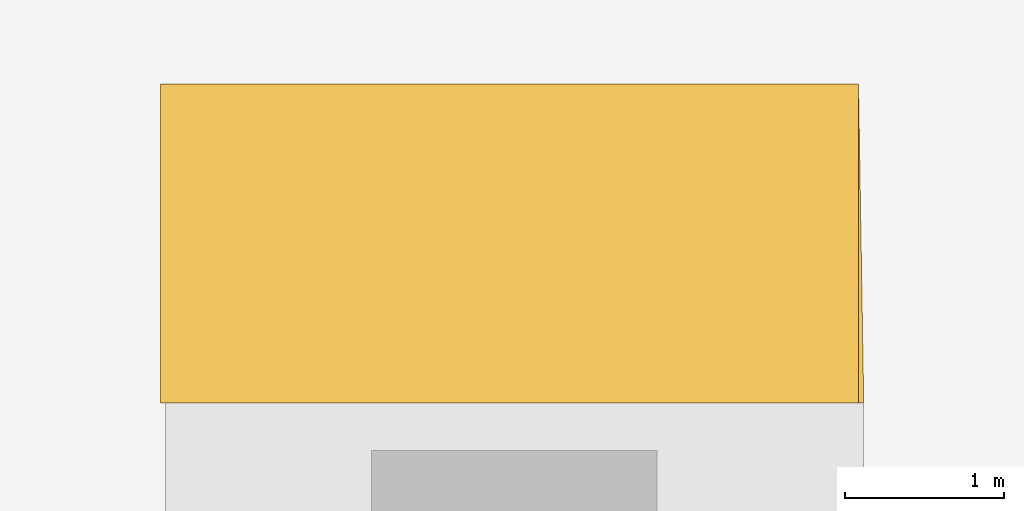
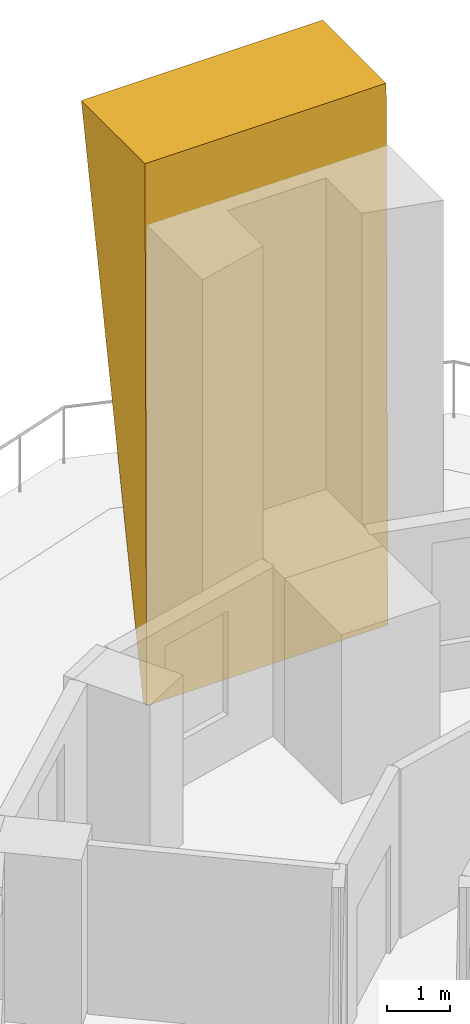
# One storey, part 14 of 14: 1 covering.
"""IFC4 building model written with IfcOpenShell, lengths in metres."""

import ifcopenshell
import ifcopenshell.guid

model = None  # the IFC model being written
_history = None  # IfcOwnerHistory: only IFC2X3 demands one
_inside = {}  # id of a spatial element -> (the spatial element, [elements in it])
_under = {}  # id of a project, library or spatial element -> (it, [spatial elements below it])
_declared = {}  # id of a project -> (the project, [libraries it declares])
_typed = {}  # id of a type object -> (the type object, [elements of that type])
_made_of = {}  # id of a material, layer set ... -> (it, [elements and type objects made of it])


def new_model(schema):
    """Start an empty IFC model of exactly this schema.

    Asked for "IFC4X3", IfcOpenShell would pick the latest addendum, in which some entities
    have other attributes; the version numbers below select the first issue.
    IFC2X3 requires an IfcOwnerHistory on every rooted entity: one is made here for all.
    """
    global model, _history
    if schema == "IFC4X3":
        model = ifcopenshell.file(schema_version=(4, 3, 0, 0))
    else:
        model = ifcopenshell.file(schema=schema)
    _inside.clear()
    _under.clear()
    _declared.clear()
    _typed.clear()
    _made_of.clear()
    _history = None
    if model.schema == "IFC2X3":
        org = make("IfcOrganization", Name="unknown")
        user = make(
            "IfcPersonAndOrganization",
            ThePerson=make("IfcPerson", FamilyName="unknown"),
            TheOrganization=org,
        )
        app = make(
            "IfcApplication",
            ApplicationDeveloper=org,
            Version="unknown",
            ApplicationFullName="unknown",
            ApplicationIdentifier="unknown",
        )
        _history = make(
            "IfcOwnerHistory",
            OwningUser=user,
            OwningApplication=app,
            ChangeAction="ADDED",
            CreationDate=0,
        )
    return model


def make(cls, **values):
    """One entity of the class cls with the attributes given. An attribute that is None is left unset."""
    return model.create_entity(
        cls, **{name: value for name, value in values.items() if value is not None}
    )


def rooted(cls, **values):
    """An entity with a GlobalId (a new one), such as an element, a storey or a relation."""
    return make(cls, GlobalId=ifcopenshell.guid.new(), OwnerHistory=_history, **values)


def si_unit(unit_type, name, prefix=None):
    """IfcSIUnit, for example si_unit("LENGTHUNIT", "METRE", prefix="MILLI")."""
    return make("IfcSIUnit", UnitType=unit_type, Prefix=prefix, Name=name)


def assignment(units):
    """IfcUnitAssignment: the units of a project."""
    return None if units is None else make("IfcUnitAssignment", Units=units)


def point(xyz):
    """IfcCartesianPoint."""
    return None if xyz is None else make("IfcCartesianPoint", Coordinates=xyz)


def direction(xyz):
    """IfcDirection."""
    return None if xyz is None else make("IfcDirection", DirectionRatios=xyz)


def frame(location, z_axis=None, x_axis=None):
    """IfcAxis2Placement3D, a coordinate frame: its origin and axes. An axis left out is left unset."""
    return make(
        "IfcAxis2Placement3D",
        Location=point(location),
        Axis=direction(z_axis),
        RefDirection=direction(x_axis),
    )


def origin():
    """The frame at (0, 0, 0) with its axes left unset."""
    return frame((0.0, 0.0, 0.0))


def place(relative_to, where):
    """IfcLocalPlacement: puts the frame where relative to a parent placement (None: the world)."""
    return make(
        "IfcLocalPlacement", PlacementRelTo=relative_to, RelativePlacement=where
    )


def context(
    kind, dimensions, precision=None, world=None, true_north=None, identifier=None
):
    """IfcGeometricRepresentationContext, for example the 3D "Model" context."""
    return make(
        "IfcGeometricRepresentationContext",
        ContextIdentifier=identifier,
        ContextType=kind,
        CoordinateSpaceDimension=dimensions,
        Precision=precision,
        WorldCoordinateSystem=world,
        TrueNorth=true_north,
    )


def subcontext(parent, identifier, kind, view, scale=None):
    """IfcGeometricRepresentationSubContext, for example "Body" below "Model"."""
    return make(
        "IfcGeometricRepresentationSubContext",
        ContextIdentifier=identifier,
        ContextType=kind,
        ParentContext=parent,
        TargetScale=scale,
        TargetView=view,
    )


def project(units=None, contexts=None):
    """IfcProject with its units and contexts."""
    return rooted(
        "IfcProject",
        Name="project",
        RepresentationContexts=contexts,
        UnitsInContext=assignment(units),
    )


def spatial(cls, under=None, at=None, **own):
    """A site, building, storey or space (cls), placed at a placement, below another one or the project."""
    s = rooted(cls, ObjectPlacement=at, **own)
    if under is not None:
        _under.setdefault(under.id(), (under, []))[1].append(s)
    return s


def polyline(points):
    """IfcPolyline through the points."""
    return make("IfcPolyline", Points=[point(p) for p in points])


def outline(outer, holes=None, kind="AREA"):
    """IfcArbitraryClosedProfileDef: a profile drawn as a closed curve; with holes, ...WithVoids."""
    if holes is None:
        return make("IfcArbitraryClosedProfileDef", ProfileType=kind, OuterCurve=outer)
    return make(
        "IfcArbitraryProfileDefWithVoids",
        ProfileType=kind,
        OuterCurve=outer,
        InnerCurves=holes,
    )


def extrude(swept, where, along, depth):
    """IfcExtrudedAreaSolid: the profile swept, set in the frame where, extruded along a direction by depth."""
    return make(
        "IfcExtrudedAreaSolid",
        SweptArea=swept,
        Position=where,
        ExtrudedDirection=direction(along),
        Depth=depth,
    )


def shape(context_of_items, identifier, shape_type, items):
    """IfcShapeRepresentation: the items that make up one representation, for example the "Body"."""
    return make(
        "IfcShapeRepresentation",
        ContextOfItems=context_of_items,
        RepresentationIdentifier=identifier,
        RepresentationType=shape_type,
        Items=items,
    )


def material(Name=None, Category=None):
    """IfcMaterial."""
    return make("IfcMaterial", Name=Name, Category=Category)


def made_of(thing, what):
    """Note that an element or type object is made of a material, layer set ...; save() writes the relation."""
    if what is not None:
        _made_of.setdefault(what.id(), (what, []))[1].append(thing)
    return thing


def type_object(cls, material=None, **own):
    """A type object (cls), such as IfcWallType, which elements share."""
    return made_of(rooted(cls, **own), material)


def element(
    cls,
    number,
    at=None,
    inside=None,
    cuts=None,
    type_object=None,
    material=None,
    context=None,
    identifier="Body",
    shape_type=None,
    held_by="IfcProductDefinitionShape",
    body=None,
    shapes=None,
    **own,
):
    """One element of the class cls, such as IfcWall. Its Tag is "e" and its number.

    at: its placement. inside: the storey or other place that contains it. cuts: it is an
    opening in that element (IfcRelVoidsElement). A single representation is given by context,
    identifier, shape_type and body (its items); several are given by shapes. held_by: the class
    of the entity that holds the representations. save() writes the other relations.
    """
    e = rooted(cls, Tag="e%d" % number, ObjectPlacement=at, **own)
    if body is not None:
        shapes = [shape(context, identifier, shape_type, body)]
    if shapes is not None:
        e.Representation = make(held_by, Representations=shapes)
    if inside is not None:
        _inside.setdefault(inside.id(), (inside, []))[1].append(e)
    if cuts is not None:
        rooted(
            "IfcRelVoidsElement", RelatingBuildingElement=cuts, RelatedOpeningElement=e
        )
    if type_object is not None:
        _typed.setdefault(type_object.id(), (type_object, []))[1].append(e)
    return made_of(e, material)


def aggregate(whole, parts):
    """IfcRelAggregates: a whole, such as a stair, and the parts it consists of."""
    return rooted("IfcRelAggregates", RelatingObject=whole, RelatedObjects=parts)


def save(model, path):
    """Write the relations noted so far, then the file.

    IfcRelAggregates (storeys below a building ...), IfcRelContainedInSpatialStructure (elements
    in a storey), IfcRelDefinesByType, IfcRelAssociatesMaterial and IfcRelDeclares: one each for
    every whole, place, type object, material and project.
    """
    for whole, parts in _under.values():
        aggregate(whole, parts)
    for where, things in _inside.values():
        rooted(
            "IfcRelContainedInSpatialStructure",
            RelatedElements=things,
            RelatingStructure=where,
        )
    for kind, things in _typed.values():
        rooted("IfcRelDefinesByType", RelatedObjects=things, RelatingType=kind)
    for what, things in _made_of.values():
        rooted("IfcRelAssociatesMaterial", RelatedObjects=things, RelatingMaterial=what)
    for by, libraries in _declared.values():
        rooted("IfcRelDeclares", RelatingContext=by, RelatedDefinitions=libraries)
    model.write(path)


model = new_model("IFC4")

# Units and contexts
model_context = context("Model", 3, precision=1e-05, world=origin(), true_north=direction((0.0, 1.0)))
body_context = subcontext(model_context, "Body", "Model", "MODEL_VIEW")
ifc_project = project(units=[si_unit("LENGTHUNIT", "METRE"), si_unit("AREAUNIT", "SQUARE_METRE"), si_unit("VOLUMEUNIT", "CUBIC_METRE"), si_unit("PLANEANGLEUNIT", "RADIAN"), si_unit("MASSUNIT", "GRAM", prefix="KILO")], contexts=[model_context])

# Site, building, storey
site_placement = place(None, origin())
site = spatial("IfcSite", under=ifc_project, at=site_placement, CompositionType="ELEMENT")
building_placement = place(site_placement, origin())
building = spatial("IfcBuilding", under=site, at=building_placement, Name="Entoto Arch Interchange Tower", CompositionType="ELEMENT")
storey_placement = place(building_placement, frame((0.0, 0.0, 241.39990234375)))
storey = spatial("IfcBuildingStorey", under=building, at=storey_placement, Name="L54", CompositionType="ELEMENT", Elevation=241.39990234375)

# Covering
ifc_material = material(Name="Board-marked precast concrete C50/60", Category="concrete")
covering_type = type_object("IfcCoveringType", Name="PRECAST FRAME COURSE", PredefinedType="CLADDING", material=ifc_material)
covering_placement = place(storey_placement, frame((2.199951171875, 29.72900390625, 0.0), z_axis=(0.999995606868, 0.0, 0.00296416016), x_axis=(0.0, 1.0, 0.0)))
element("IfcCovering", 1, at=covering_placement, inside=storey, type_object=covering_type, Name="Corner rib N L54-L56", PredefinedType="CLADDING", context=body_context, shape_type="SweptSolid", body=[
    extrude(outline(polyline([(0.0, 0.0), (0.10888671875, 0.0), (2.010986328125, 10.460251031392488), (0.0, 10.460251031392488), (0.0, 0.0)])), origin(), (0.0, 0.0, -1.0), 4.39990234375),
])

save(model, "model.ifc")
